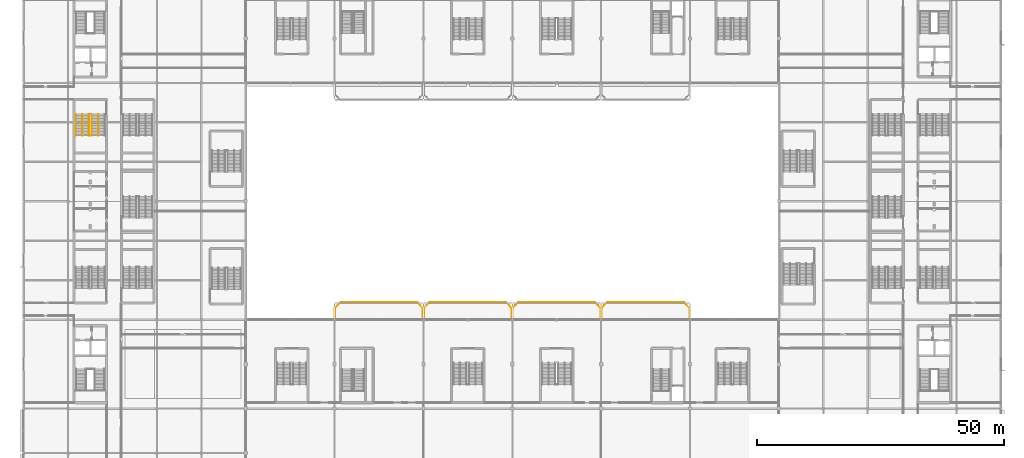
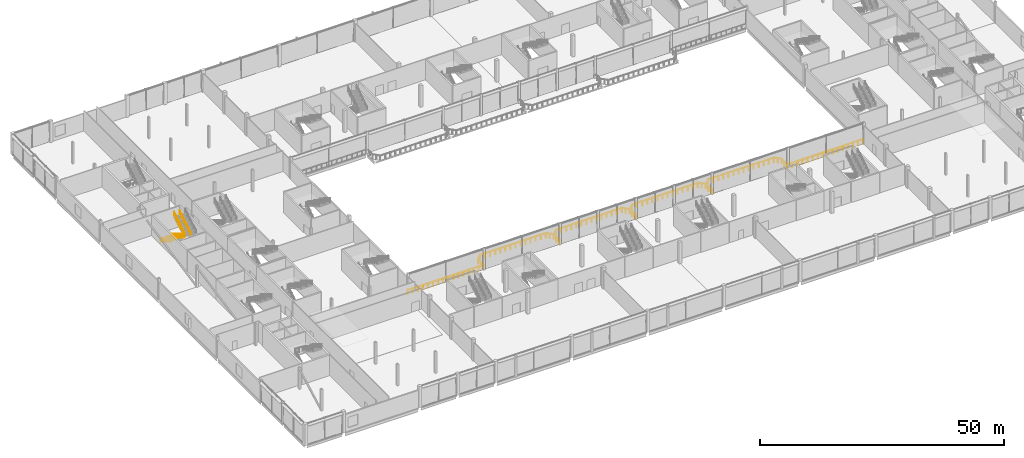
# One storey, part 100 of 113: 5 railings.
"""IFC4 building model written with IfcOpenShell, lengths in metres."""

from ifc_helpers import new_model, si_unit, direction, frame, origin, origin_2d, place, context, subcontext, project, spatial, circle, extrude, material, type_object, element, save


model = new_model("IFC4")

# Units and contexts
model_context = context("Model", 3, precision=1e-05, world=origin(), true_north=direction((0.0, 1.0)))
body_context = subcontext(model_context, "Body", "Model", "MODEL_VIEW")
ifc_project = project(units=[si_unit("LENGTHUNIT", "METRE"), si_unit("AREAUNIT", "SQUARE_METRE"), si_unit("VOLUMEUNIT", "CUBIC_METRE"), si_unit("PLANEANGLEUNIT", "RADIAN"), si_unit("MASSUNIT", "GRAM", prefix="KILO")], contexts=[model_context])

# Site, building, storey
site_placement = place(None, origin())
site = spatial("IfcSite", under=ifc_project, at=site_placement, CompositionType="ELEMENT")
building_placement = place(site_placement, origin())
building = spatial("IfcBuilding", under=site, at=building_placement, Name="Kisiwana Market Hall", CompositionType="ELEMENT")
storey_placement = place(building_placement, frame((0.0, 0.0, 6.0)))
storey = spatial("IfcBuildingStorey", under=building, at=storey_placement, Name="L01", CompositionType="ELEMENT", Elevation=6.0)

# Railings
ifc_material_1 = material(Name="Steel S275", Category="steel")
railing_type_1 = type_object("IfcRailingType", Name="RL-BALUST-1100", PredefinedType="BALUSTRADE", material=ifc_material_1)
railing_1_placement = place(storey_placement, frame((45.080078125, 36.080078125, 0.0)))
element("IfcRailing", 1, at=railing_1_placement, inside=storey, type_object=railing_type_1, Name="L01 Food Court South Atrium Edge Guardrail 1100 RL-1694", PredefinedType="BALUSTRADE", context=body_context, shape_type="SweptSolid", body=[
    extrude(circle(Radius=0.02392578125, at=origin_2d()), frame((0.0, 0.0, 1.076171875), z_axis=(1.0, 0.0, 0.0), x_axis=(0.0, 1.0, 0.0)), (0.0, 0.0, 1.0), 18.0),
    extrude(circle(Radius=0.02392578125, at=origin_2d()), frame((18.0, 0.0, 1.076171875), z_axis=(0.0, 1.0, 0.0), x_axis=(-1.0, 0.0, 0.0)), (0.0, 0.0, 1.0), 2.27001953125),
    extrude(circle(Radius=0.02392578125, at=origin_2d()), frame((18.0, 2.27001953125, 1.076171875), z_axis=(0.697854896898, 0.716239165974, 0.0), x_axis=(-0.716239165974, 0.697854896898, 0.0)), (0.0, 0.0, 1.0), 1.633544921875),
    extrude(circle(Radius=0.02392578125, at=origin_2d()), frame((19.139892578125, 3.43994140625, 1.076171875), z_axis=(1.0, 0.0, 0.0), x_axis=(0.0, 1.0, 0.0)), (0.0, 0.0, 1.0), 15.56005859375),
    extrude(circle(Radius=0.02392578125, at=origin_2d()), frame((34.699951171875, 3.43994140625, 1.076171875), z_axis=(0.697854896898, -0.716239165974, 0.0), x_axis=(0.716239165974, 0.697854896898, 0.0)), (0.0, 0.0, 1.0), 1.633544921875),
    extrude(circle(Radius=0.02392578125, at=origin_2d()), frame((35.83984375, 2.27001953125, 1.076171875), z_axis=(0.0, -1.0, 0.0), x_axis=(1.0, 0.0, 0.0)), (0.0, 0.0, 1.0), 2.27001953125),
    extrude(circle(Radius=0.02392578125, at=origin_2d()), frame((35.83984375, 0.0, 1.076171875), z_axis=(1.0, 0.0, 0.0), x_axis=(0.0, 1.0, 0.0)), (0.0, 0.0, 1.0), 0.16015625),
    extrude(circle(Radius=0.02392578125, at=origin_2d()), frame((36.0, 0.0, 1.076171875), z_axis=(0.0, 1.0, 0.0), x_axis=(-1.0, 0.0, 0.0)), (0.0, 0.0, 1.0), 2.27001953125),
    extrude(circle(Radius=0.02392578125, at=origin_2d()), frame((36.0, 2.27001953125, 1.076171875), z_axis=(0.697854896898, 0.716239165974, 0.0), x_axis=(-0.716239165974, 0.697854896898, 0.0)), (0.0, 0.0, 1.0), 1.633544921875),
    extrude(circle(Radius=0.02392578125, at=origin_2d()), frame((37.139892578125, 3.43994140625, 1.076171875), z_axis=(1.0, 0.0, 0.0), x_axis=(0.0, 1.0, 0.0)), (0.0, 0.0, 1.0), 15.56005859375),
    extrude(circle(Radius=0.02392578125, at=origin_2d()), frame((52.699951171875, 3.43994140625, 1.076171875), z_axis=(0.697854896898, -0.716239165974, 0.0), x_axis=(0.716239165974, 0.697854896898, 0.0)), (0.0, 0.0, 1.0), 1.633544921875),
    extrude(circle(Radius=0.02392578125, at=origin_2d()), frame((53.83984375, 2.27001953125, 1.076171875), z_axis=(0.0, -1.0, 0.0), x_axis=(1.0, 0.0, 0.0)), (0.0, 0.0, 1.0), 2.27001953125),
    extrude(circle(Radius=0.02392578125, at=origin_2d()), frame((53.83984375, 0.0, 1.076171875), z_axis=(1.0, 0.0, 0.0), x_axis=(0.0, 1.0, 0.0)), (0.0, 0.0, 1.0), 0.16015625),
    extrude(circle(Radius=0.02392578125, at=origin_2d()), frame((54.0, 0.0, 1.076171875), z_axis=(0.0, 1.0, 0.0), x_axis=(-1.0, 0.0, 0.0)), (0.0, 0.0, 1.0), 2.27001953125),
    extrude(circle(Radius=0.02392578125, at=origin_2d()), frame((54.0, 2.27001953125, 1.076171875), z_axis=(0.697854896898, 0.716239165974, 0.0), x_axis=(-0.716239165974, 0.697854896898, 0.0)), (0.0, 0.0, 1.0), 1.633544921875),
    extrude(circle(Radius=0.02392578125, at=origin_2d()), frame((55.139892578125, 3.43994140625, 1.076171875), z_axis=(1.0, 0.0, 0.0), x_axis=(0.0, 1.0, 0.0)), (0.0, 0.0, 1.0), 15.56005859375),
    extrude(circle(Radius=0.02392578125, at=origin_2d()), frame((70.699951171875, 3.43994140625, 1.076171875), z_axis=(0.697854896898, -0.716239165974, 0.0), x_axis=(0.716239165974, 0.697854896898, 0.0)), (0.0, 0.0, 1.0), 1.633544921875),
    extrude(circle(Radius=0.02392578125, at=origin_2d()), frame((71.83984375, 2.27001953125, 1.076171875), z_axis=(0.0, -1.0, 0.0), x_axis=(1.0, 0.0, 0.0)), (0.0, 0.0, 1.0), 2.27001953125),
    extrude(circle(Radius=0.02392578125, at=origin_2d()), frame((71.83984375, 0.0, 1.076171875), z_axis=(1.0, 0.0, 0.0), x_axis=(0.0, 1.0, 0.0)), (0.0, 0.0, 1.0), 0.16015625),
    extrude(circle(Radius=0.02392578125, at=origin_2d()), frame((72.0, 0.0, 1.076171875), z_axis=(0.0, 1.0, 0.0), x_axis=(-1.0, 0.0, 0.0)), (0.0, 0.0, 1.0), 2.27001953125),
    extrude(circle(Radius=0.02392578125, at=origin_2d()), frame((72.0, 2.27001953125, 1.076171875), z_axis=(0.697854896898, 0.716239165974, 0.0), x_axis=(-0.716239165974, 0.697854896898, 0.0)), (0.0, 0.0, 1.0), 1.633544921875),
    extrude(circle(Radius=0.02392578125, at=origin_2d()), frame((73.139892578125, 3.43994140625, 1.076171875), z_axis=(1.0, 0.0, 0.0), x_axis=(0.0, 1.0, 0.0)), (0.0, 0.0, 1.0), 15.56005859375),
    extrude(circle(Radius=0.02392578125, at=origin_2d()), frame((88.699951171875, 3.43994140625, 1.076171875), z_axis=(0.697854896898, -0.716239165974, 0.0), x_axis=(0.716239165974, 0.697854896898, 0.0)), (0.0, 0.0, 1.0), 1.633544921875),
    extrude(circle(Radius=0.02392578125, at=origin_2d()), frame((89.83984375, 2.27001953125, 1.076171875), z_axis=(0.0, -1.0, 0.0), x_axis=(1.0, 0.0, 0.0)), (0.0, 0.0, 1.0), 2.27001953125),
    extrude(circle(Radius=0.02392578125, at=origin_2d()), frame((89.83984375, 0.0, 1.076171875), z_axis=(1.0, 0.0, 0.0), x_axis=(0.0, 1.0, 0.0)), (0.0, 0.0, 1.0), 18.0),
    extrude(circle(Radius=0.02099609375, at=origin_2d()), origin(), (0.0, 0.0, 1.0), 1.052001953125),
    extrude(circle(Radius=0.02099609375, at=origin_2d()), frame((1.199951171875, 0.0, 0.0)), (0.0, 0.0, 1.0), 1.052001953125),
    extrude(circle(Radius=0.02099609375, at=origin_2d()), frame((2.39990234375, 0.0, 0.0)), (0.0, 0.0, 1.0), 1.052001953125),
    extrude(circle(Radius=0.02099609375, at=origin_2d()), frame((3.60009765625, 0.0, 0.0)), (0.0, 0.0, 1.0), 1.052001953125),
    extrude(circle(Radius=0.02099609375, at=origin_2d()), frame((4.800048828125, 0.0, 0.0)), (0.0, 0.0, 1.0), 1.052001953125),
    extrude(circle(Radius=0.02099609375, at=origin_2d()), frame((6.0, 0.0, 0.0)), (0.0, 0.0, 1.0), 1.052001953125),
    extrude(circle(Radius=0.02099609375, at=origin_2d()), frame((7.199951171875, 0.0, 0.0)), (0.0, 0.0, 1.0), 1.052001953125),
    extrude(circle(Radius=0.02099609375, at=origin_2d()), frame((8.39990234375, 0.0, 0.0)), (0.0, 0.0, 1.0), 1.052001953125),
    extrude(circle(Radius=0.02099609375, at=origin_2d()), frame((9.60009765625, 0.0, 0.0)), (0.0, 0.0, 1.0), 1.052001953125),
    extrude(circle(Radius=0.02099609375, at=origin_2d()), frame((10.800048828125, 0.0, 0.0)), (0.0, 0.0, 1.0), 1.052001953125),
    extrude(circle(Radius=0.02099609375, at=origin_2d()), frame((12.0, 0.0, 0.0)), (0.0, 0.0, 1.0), 1.052001953125),
    extrude(circle(Radius=0.02099609375, at=origin_2d()), frame((13.199951171875, 0.0, 0.0)), (0.0, 0.0, 1.0), 1.052001953125),
    extrude(circle(Radius=0.02099609375, at=origin_2d()), frame((14.39990234375, 0.0, 0.0)), (0.0, 0.0, 1.0), 1.052001953125),
    extrude(circle(Radius=0.02099609375, at=origin_2d()), frame((15.60009765625, 0.0, 0.0)), (0.0, 0.0, 1.0), 1.052001953125),
    extrude(circle(Radius=0.02099609375, at=origin_2d()), frame((16.800048828125, 0.0, 0.0)), (0.0, 0.0, 1.0), 1.052001953125),
    extrude(circle(Radius=0.02099609375, at=origin_2d()), frame((18.0, 0.0, 0.0)), (0.0, 0.0, 1.0), 1.052001953125),
    extrude(circle(Radius=0.02099609375, at=origin_2d()), frame((18.0, 1.135009765625, 0.0)), (0.0, 0.0, 1.0), 1.052001953125),
    extrude(circle(Radius=0.02099609375, at=origin_2d()), frame((18.0, 2.27001953125, 0.0)), (0.0, 0.0, 1.0), 1.052001953125),
    extrude(circle(Radius=0.02099609375, at=origin_2d()), frame((18.56982421875, 2.85498046875, 0.0)), (0.0, 0.0, 1.0), 1.052001953125),
    extrude(circle(Radius=0.02099609375, at=origin_2d()), frame((19.139892578125, 3.43994140625, 0.0)), (0.0, 0.0, 1.0), 1.052001953125),
    extrude(circle(Radius=0.02099609375, at=origin_2d()), frame((20.3369140625, 3.43994140625, 0.0)), (0.0, 0.0, 1.0), 1.052001953125),
    extrude(circle(Radius=0.02099609375, at=origin_2d()), frame((21.53369140625, 3.43994140625, 0.0)), (0.0, 0.0, 1.0), 1.052001953125),
    extrude(circle(Radius=0.02099609375, at=origin_2d()), frame((22.730712890625, 3.43994140625, 0.0)), (0.0, 0.0, 1.0), 1.052001953125),
    extrude(circle(Radius=0.02099609375, at=origin_2d()), frame((23.927490234375, 3.43994140625, 0.0)), (0.0, 0.0, 1.0), 1.052001953125),
    extrude(circle(Radius=0.02099609375, at=origin_2d()), frame((25.12451171875, 3.43994140625, 0.0)), (0.0, 0.0, 1.0), 1.052001953125),
    extrude(circle(Radius=0.02099609375, at=origin_2d()), frame((26.321533203125, 3.43994140625, 0.0)), (0.0, 0.0, 1.0), 1.052001953125),
    extrude(circle(Radius=0.02099609375, at=origin_2d()), frame((27.518310546875, 3.43994140625, 0.0)), (0.0, 0.0, 1.0), 1.052001953125),
    extrude(circle(Radius=0.02099609375, at=origin_2d()), frame((28.71533203125, 3.43994140625, 0.0)), (0.0, 0.0, 1.0), 1.052001953125),
    extrude(circle(Radius=0.02099609375, at=origin_2d()), frame((29.912353515625, 3.43994140625, 0.0)), (0.0, 0.0, 1.0), 1.052001953125),
    extrude(circle(Radius=0.02099609375, at=origin_2d()), frame((31.109130859375, 3.43994140625, 0.0)), (0.0, 0.0, 1.0), 1.052001953125),
    extrude(circle(Radius=0.02099609375, at=origin_2d()), frame((32.30615234375, 3.43994140625, 0.0)), (0.0, 0.0, 1.0), 1.052001953125),
    extrude(circle(Radius=0.02099609375, at=origin_2d()), frame((33.5029296875, 3.43994140625, 0.0)), (0.0, 0.0, 1.0), 1.052001953125),
    extrude(circle(Radius=0.02099609375, at=origin_2d()), frame((34.699951171875, 3.43994140625, 0.0)), (0.0, 0.0, 1.0), 1.052001953125),
    extrude(circle(Radius=0.02099609375, at=origin_2d()), frame((35.27001953125, 2.85498046875, 0.0)), (0.0, 0.0, 1.0), 1.052001953125),
    extrude(circle(Radius=0.02099609375, at=origin_2d()), frame((35.83984375, 2.27001953125, 0.0)), (0.0, 0.0, 1.0), 1.052001953125),
    extrude(circle(Radius=0.02099609375, at=origin_2d()), frame((35.83984375, 1.135009765625, 0.0)), (0.0, 0.0, 1.0), 1.052001953125),
    extrude(circle(Radius=0.02099609375, at=origin_2d()), frame((35.83984375, 0.0, 0.0)), (0.0, 0.0, 1.0), 1.052001953125),
    extrude(circle(Radius=0.02099609375, at=origin_2d()), frame((36.0, 0.0, 0.0)), (0.0, 0.0, 1.0), 1.052001953125),
    extrude(circle(Radius=0.02099609375, at=origin_2d()), frame((36.0, 1.135009765625, 0.0)), (0.0, 0.0, 1.0), 1.052001953125),
    extrude(circle(Radius=0.02099609375, at=origin_2d()), frame((36.0, 2.27001953125, 0.0)), (0.0, 0.0, 1.0), 1.052001953125),
    extrude(circle(Radius=0.02099609375, at=origin_2d()), frame((36.56982421875, 2.85498046875, 0.0)), (0.0, 0.0, 1.0), 1.052001953125),
    extrude(circle(Radius=0.02099609375, at=origin_2d()), frame((37.139892578125, 3.43994140625, 0.0)), (0.0, 0.0, 1.0), 1.052001953125),
    extrude(circle(Radius=0.02099609375, at=origin_2d()), frame((38.3369140625, 3.43994140625, 0.0)), (0.0, 0.0, 1.0), 1.052001953125),
    extrude(circle(Radius=0.02099609375, at=origin_2d()), frame((39.53369140625, 3.43994140625, 0.0)), (0.0, 0.0, 1.0), 1.052001953125),
    extrude(circle(Radius=0.02099609375, at=origin_2d()), frame((40.730712890625, 3.43994140625, 0.0)), (0.0, 0.0, 1.0), 1.052001953125),
    extrude(circle(Radius=0.02099609375, at=origin_2d()), frame((41.927490234375, 3.43994140625, 0.0)), (0.0, 0.0, 1.0), 1.052001953125),
    extrude(circle(Radius=0.02099609375, at=origin_2d()), frame((43.12451171875, 3.43994140625, 0.0)), (0.0, 0.0, 1.0), 1.052001953125),
    extrude(circle(Radius=0.02099609375, at=origin_2d()), frame((44.321533203125, 3.43994140625, 0.0)), (0.0, 0.0, 1.0), 1.052001953125),
    extrude(circle(Radius=0.02099609375, at=origin_2d()), frame((45.518310546875, 3.43994140625, 0.0)), (0.0, 0.0, 1.0), 1.052001953125),
    extrude(circle(Radius=0.02099609375, at=origin_2d()), frame((46.71533203125, 3.43994140625, 0.0)), (0.0, 0.0, 1.0), 1.052001953125),
    extrude(circle(Radius=0.02099609375, at=origin_2d()), frame((47.912353515625, 3.43994140625, 0.0)), (0.0, 0.0, 1.0), 1.052001953125),
    extrude(circle(Radius=0.02099609375, at=origin_2d()), frame((49.109130859375, 3.43994140625, 0.0)), (0.0, 0.0, 1.0), 1.052001953125),
    extrude(circle(Radius=0.02099609375, at=origin_2d()), frame((50.30615234375, 3.43994140625, 0.0)), (0.0, 0.0, 1.0), 1.052001953125),
    extrude(circle(Radius=0.02099609375, at=origin_2d()), frame((51.5029296875, 3.43994140625, 0.0)), (0.0, 0.0, 1.0), 1.052001953125),
    extrude(circle(Radius=0.02099609375, at=origin_2d()), frame((52.699951171875, 3.43994140625, 0.0)), (0.0, 0.0, 1.0), 1.052001953125),
    extrude(circle(Radius=0.02099609375, at=origin_2d()), frame((53.27001953125, 2.85498046875, 0.0)), (0.0, 0.0, 1.0), 1.052001953125),
    extrude(circle(Radius=0.02099609375, at=origin_2d()), frame((53.83984375, 2.27001953125, 0.0)), (0.0, 0.0, 1.0), 1.052001953125),
    extrude(circle(Radius=0.02099609375, at=origin_2d()), frame((53.83984375, 1.135009765625, 0.0)), (0.0, 0.0, 1.0), 1.052001953125),
    extrude(circle(Radius=0.02099609375, at=origin_2d()), frame((53.83984375, 0.0, 0.0)), (0.0, 0.0, 1.0), 1.052001953125),
    extrude(circle(Radius=0.02099609375, at=origin_2d()), frame((54.0, 0.0, 0.0)), (0.0, 0.0, 1.0), 1.052001953125),
    extrude(circle(Radius=0.02099609375, at=origin_2d()), frame((54.0, 1.135009765625, 0.0)), (0.0, 0.0, 1.0), 1.052001953125),
    extrude(circle(Radius=0.02099609375, at=origin_2d()), frame((54.0, 2.27001953125, 0.0)), (0.0, 0.0, 1.0), 1.052001953125),
    extrude(circle(Radius=0.02099609375, at=origin_2d()), frame((54.56982421875, 2.85498046875, 0.0)), (0.0, 0.0, 1.0), 1.052001953125),
    extrude(circle(Radius=0.02099609375, at=origin_2d()), frame((55.139892578125, 3.43994140625, 0.0)), (0.0, 0.0, 1.0), 1.052001953125),
    extrude(circle(Radius=0.02099609375, at=origin_2d()), frame((56.3369140625, 3.43994140625, 0.0)), (0.0, 0.0, 1.0), 1.052001953125),
    extrude(circle(Radius=0.02099609375, at=origin_2d()), frame((57.53369140625, 3.43994140625, 0.0)), (0.0, 0.0, 1.0), 1.052001953125),
    extrude(circle(Radius=0.02099609375, at=origin_2d()), frame((58.730712890625, 3.43994140625, 0.0)), (0.0, 0.0, 1.0), 1.052001953125),
    extrude(circle(Radius=0.02099609375, at=origin_2d()), frame((59.927490234375, 3.43994140625, 0.0)), (0.0, 0.0, 1.0), 1.052001953125),
    extrude(circle(Radius=0.02099609375, at=origin_2d()), frame((61.12451171875, 3.43994140625, 0.0)), (0.0, 0.0, 1.0), 1.052001953125),
    extrude(circle(Radius=0.02099609375, at=origin_2d()), frame((62.321533203125, 3.43994140625, 0.0)), (0.0, 0.0, 1.0), 1.052001953125),
    extrude(circle(Radius=0.02099609375, at=origin_2d()), frame((63.518310546875, 3.43994140625, 0.0)), (0.0, 0.0, 1.0), 1.052001953125),
    extrude(circle(Radius=0.02099609375, at=origin_2d()), frame((64.71533203125, 3.43994140625, 0.0)), (0.0, 0.0, 1.0), 1.052001953125),
    extrude(circle(Radius=0.02099609375, at=origin_2d()), frame((65.912353515625, 3.43994140625, 0.0)), (0.0, 0.0, 1.0), 1.052001953125),
    extrude(circle(Radius=0.02099609375, at=origin_2d()), frame((67.109130859375, 3.43994140625, 0.0)), (0.0, 0.0, 1.0), 1.052001953125),
    extrude(circle(Radius=0.02099609375, at=origin_2d()), frame((68.30615234375, 3.43994140625, 0.0)), (0.0, 0.0, 1.0), 1.052001953125),
    extrude(circle(Radius=0.02099609375, at=origin_2d()), frame((69.5029296875, 3.43994140625, 0.0)), (0.0, 0.0, 1.0), 1.052001953125),
    extrude(circle(Radius=0.02099609375, at=origin_2d()), frame((70.699951171875, 3.43994140625, 0.0)), (0.0, 0.0, 1.0), 1.052001953125),
    extrude(circle(Radius=0.02099609375, at=origin_2d()), frame((71.27001953125, 2.85498046875, 0.0)), (0.0, 0.0, 1.0), 1.052001953125),
    extrude(circle(Radius=0.02099609375, at=origin_2d()), frame((71.83984375, 2.27001953125, 0.0)), (0.0, 0.0, 1.0), 1.052001953125),
    extrude(circle(Radius=0.02099609375, at=origin_2d()), frame((71.83984375, 1.135009765625, 0.0)), (0.0, 0.0, 1.0), 1.052001953125),
    extrude(circle(Radius=0.02099609375, at=origin_2d()), frame((71.83984375, 0.0, 0.0)), (0.0, 0.0, 1.0), 1.052001953125),
    extrude(circle(Radius=0.02099609375, at=origin_2d()), frame((72.0, 0.0, 0.0)), (0.0, 0.0, 1.0), 1.052001953125),
    extrude(circle(Radius=0.02099609375, at=origin_2d()), frame((72.0, 1.135009765625, 0.0)), (0.0, 0.0, 1.0), 1.052001953125),
    extrude(circle(Radius=0.02099609375, at=origin_2d()), frame((72.0, 2.27001953125, 0.0)), (0.0, 0.0, 1.0), 1.052001953125),
    extrude(circle(Radius=0.02099609375, at=origin_2d()), frame((72.56982421875, 2.85498046875, 0.0)), (0.0, 0.0, 1.0), 1.052001953125),
    extrude(circle(Radius=0.02099609375, at=origin_2d()), frame((73.139892578125, 3.43994140625, 0.0)), (0.0, 0.0, 1.0), 1.052001953125),
    extrude(circle(Radius=0.02099609375, at=origin_2d()), frame((74.3369140625, 3.43994140625, 0.0)), (0.0, 0.0, 1.0), 1.052001953125),
    extrude(circle(Radius=0.02099609375, at=origin_2d()), frame((75.53369140625, 3.43994140625, 0.0)), (0.0, 0.0, 1.0), 1.052001953125),
    extrude(circle(Radius=0.02099609375, at=origin_2d()), frame((76.730712890625, 3.43994140625, 0.0)), (0.0, 0.0, 1.0), 1.052001953125),
    extrude(circle(Radius=0.02099609375, at=origin_2d()), frame((77.927490234375, 3.43994140625, 0.0)), (0.0, 0.0, 1.0), 1.052001953125),
    extrude(circle(Radius=0.02099609375, at=origin_2d()), frame((79.12451171875, 3.43994140625, 0.0)), (0.0, 0.0, 1.0), 1.052001953125),
    extrude(circle(Radius=0.02099609375, at=origin_2d()), frame((80.321533203125, 3.43994140625, 0.0)), (0.0, 0.0, 1.0), 1.052001953125),
    extrude(circle(Radius=0.02099609375, at=origin_2d()), frame((81.518310546875, 3.43994140625, 0.0)), (0.0, 0.0, 1.0), 1.052001953125),
    extrude(circle(Radius=0.02099609375, at=origin_2d()), frame((82.71533203125, 3.43994140625, 0.0)), (0.0, 0.0, 1.0), 1.052001953125),
    extrude(circle(Radius=0.02099609375, at=origin_2d()), frame((83.912353515625, 3.43994140625, 0.0)), (0.0, 0.0, 1.0), 1.052001953125),
    extrude(circle(Radius=0.02099609375, at=origin_2d()), frame((85.109130859375, 3.43994140625, 0.0)), (0.0, 0.0, 1.0), 1.052001953125),
    extrude(circle(Radius=0.02099609375, at=origin_2d()), frame((86.30615234375, 3.43994140625, 0.0)), (0.0, 0.0, 1.0), 1.052001953125),
    extrude(circle(Radius=0.02099609375, at=origin_2d()), frame((87.5029296875, 3.43994140625, 0.0)), (0.0, 0.0, 1.0), 1.052001953125),
    extrude(circle(Radius=0.02099609375, at=origin_2d()), frame((88.699951171875, 3.43994140625, 0.0)), (0.0, 0.0, 1.0), 1.052001953125),
    extrude(circle(Radius=0.02099609375, at=origin_2d()), frame((89.27001953125, 2.85498046875, 0.0)), (0.0, 0.0, 1.0), 1.052001953125),
    extrude(circle(Radius=0.02099609375, at=origin_2d()), frame((89.83984375, 2.27001953125, 0.0)), (0.0, 0.0, 1.0), 1.052001953125),
    extrude(circle(Radius=0.02099609375, at=origin_2d()), frame((89.83984375, 1.135009765625, 0.0)), (0.0, 0.0, 1.0), 1.052001953125),
    extrude(circle(Radius=0.02099609375, at=origin_2d()), frame((89.83984375, 0.0, 0.0)), (0.0, 0.0, 1.0), 1.052001953125),
    extrude(circle(Radius=0.02099609375, at=origin_2d()), frame((91.039794921875, 0.0, 0.0)), (0.0, 0.0, 1.0), 1.052001953125),
    extrude(circle(Radius=0.02099609375, at=origin_2d()), frame((92.23974609375, 0.0, 0.0)), (0.0, 0.0, 1.0), 1.052001953125),
    extrude(circle(Radius=0.02099609375, at=origin_2d()), frame((93.43994140625, 0.0, 0.0)), (0.0, 0.0, 1.0), 1.052001953125),
    extrude(circle(Radius=0.02099609375, at=origin_2d()), frame((94.639892578125, 0.0, 0.0)), (0.0, 0.0, 1.0), 1.052001953125),
    extrude(circle(Radius=0.02099609375, at=origin_2d()), frame((95.83984375, 0.0, 0.0)), (0.0, 0.0, 1.0), 1.052001953125),
    extrude(circle(Radius=0.02099609375, at=origin_2d()), frame((97.039794921875, 0.0, 0.0)), (0.0, 0.0, 1.0), 1.052001953125),
    extrude(circle(Radius=0.02099609375, at=origin_2d()), frame((98.23974609375, 0.0, 0.0)), (0.0, 0.0, 1.0), 1.052001953125),
    extrude(circle(Radius=0.02099609375, at=origin_2d()), frame((99.43994140625, 0.0, 0.0)), (0.0, 0.0, 1.0), 1.052001953125),
    extrude(circle(Radius=0.02099609375, at=origin_2d()), frame((100.639892578125, 0.0, 0.0)), (0.0, 0.0, 1.0), 1.052001953125),
    extrude(circle(Radius=0.02099609375, at=origin_2d()), frame((101.83984375, 0.0, 0.0)), (0.0, 0.0, 1.0), 1.052001953125),
    extrude(circle(Radius=0.02099609375, at=origin_2d()), frame((103.039794921875, 0.0, 0.0)), (0.0, 0.0, 1.0), 1.052001953125),
    extrude(circle(Radius=0.02099609375, at=origin_2d()), frame((104.23974609375, 0.0, 0.0)), (0.0, 0.0, 1.0), 1.052001953125),
    extrude(circle(Radius=0.02099609375, at=origin_2d()), frame((105.43994140625, 0.0, 0.0)), (0.0, 0.0, 1.0), 1.052001953125),
    extrude(circle(Radius=0.02099609375, at=origin_2d()), frame((106.639892578125, 0.0, 0.0)), (0.0, 0.0, 1.0), 1.052001953125),
    extrude(circle(Radius=0.02099609375, at=origin_2d()), frame((107.83984375, 0.0, 0.0)), (0.0, 0.0, 1.0), 1.052001953125),
])
ifc_material_2 = material(Name="Steel S275", Category="steel")
railing_type_2 = type_object("IfcRailingType", Name="RL-GUARD-1100", PredefinedType="GUARDRAIL", material=ifc_material_2)
railing_2_placement = place(storey_placement, frame((13.219970703125, 77.639892578125, 0.0)))
element("IfcRailing", 2, at=railing_2_placement, inside=storey, type_object=railing_type_2, Name="Stair ST-W4-L01 inner-well guardrail (RL-349)", PredefinedType="GUARDRAIL", context=body_context, shape_type="SweptSolid", body=[
    extrude(circle(Radius=0.02392578125, at=origin_2d()), frame((0.0, 0.0, 1.076171875), z_axis=(0.0, -0.849636482215, 0.527368797038), x_axis=(1.0, 0.0, 0.0)), (0.0, 0.0, 1.0), 5.11962890625),
    extrude(circle(Radius=0.02392578125, at=origin_2d()), frame((0.0, -4.349853515625, 3.77587890625), z_axis=(1.0, 0.0, 0.0), x_axis=(0.0, 1.0, 0.0)), (0.0, 0.0, 1.0), 0.56005859375),
    extrude(circle(Radius=0.02392578125, at=origin_2d()), frame((0.56005859375, -4.349853515625, 3.77587890625), z_axis=(0.0, 0.849636482215, 0.527368797038), x_axis=(-1.0, 0.0, 0.0)), (0.0, 0.0, 1.0), 5.11962890625),
    extrude(circle(Radius=0.02099609375, at=origin_2d()), origin(), (0.0, 0.0, 1.0), 1.052001953125),
    extrude(circle(Radius=0.02099609375, at=origin_2d()), frame((0.0, -0.869873046875, 0.5400390625)), (0.0, 0.0, 1.0), 1.052001953125),
    extrude(circle(Radius=0.02099609375, at=origin_2d()), frame((0.0, -1.739990234375, 1.080078125)), (0.0, 0.0, 1.0), 1.052001953125),
    extrude(circle(Radius=0.02099609375, at=origin_2d()), frame((0.0, -2.60986328125, 1.619873046875)), (0.0, 0.0, 1.0), 1.052001953125),
    extrude(circle(Radius=0.02099609375, at=origin_2d()), frame((0.0, -3.47998046875, 2.159912109375)), (0.0, 0.0, 1.0), 1.052001953125),
    extrude(circle(Radius=0.02099609375, at=origin_2d()), frame((0.0, -4.349853515625, 2.699951171875)), (0.0, 0.0, 1.0), 1.052001953125),
    extrude(circle(Radius=0.02099609375, at=origin_2d()), frame((0.56005859375, -4.349853515625, 2.699951171875)), (0.0, 0.0, 1.0), 1.052001953125),
    extrude(circle(Radius=0.02099609375, at=origin_2d()), frame((0.56005859375, -3.47998046875, 3.239990234375)), (0.0, 0.0, 1.0), 1.052001953125),
    extrude(circle(Radius=0.02099609375, at=origin_2d()), frame((0.56005859375, -2.60986328125, 3.780029296875)), (0.0, 0.0, 1.0), 1.052001953125),
    extrude(circle(Radius=0.02099609375, at=origin_2d()), frame((0.56005859375, -1.739990234375, 4.31982421875)), (0.0, 0.0, 1.0), 1.052001953125),
    extrude(circle(Radius=0.02099609375, at=origin_2d()), frame((0.56005859375, -0.869873046875, 4.85986328125)), (0.0, 0.0, 1.0), 1.052001953125),
    extrude(circle(Radius=0.02099609375, at=origin_2d()), frame((0.56005859375, 0.0, 5.39990234375)), (0.0, 0.0, 1.0), 1.052001953125),
])
ifc_material_3 = material(Name="Steel S275", Category="steel")
railing_type_3 = type_object("IfcRailingType", Name="RL-HAND-900", PredefinedType="HANDRAIL", material=ifc_material_3)
for number, where, name in (
    (3, (10.570068359375, 77.639892578125, 0.0), "Stair ST-W4-L01 flight 1 handrail (RL-350)"),
    (4, (11.889892578125, 77.639892578125, 0.0), "Stair ST-W4-L01 flight 1 intermediate handrail (RL-352)"),
):
    element("IfcRailing", number, at=place(storey_placement, frame(where)), inside=storey, type_object=railing_type_3, Name=name, PredefinedType="HANDRAIL", context=body_context, shape_type="SweptSolid", body=[
        extrude(circle(Radius=0.02392578125, at=origin_2d()), frame((0.0, 0.0, 0.8759765625), z_axis=(0.0, -0.849636482215, 0.527368797038), x_axis=(1.0, 0.0, 0.0)), (0.0, 0.0, 1.0), 5.11962890625),
        extrude(circle(Radius=0.02099609375, at=origin_2d()), origin(), (0.0, 0.0, 1.0), 0.851806640625),
        extrude(circle(Radius=0.02099609375, at=origin_2d()), frame((0.0, -0.869873046875, 0.5400390625)), (0.0, 0.0, 1.0), 0.851806640625),
        extrude(circle(Radius=0.02099609375, at=origin_2d()), frame((0.0, -1.739990234375, 1.080078125)), (0.0, 0.0, 1.0), 0.851806640625),
        extrude(circle(Radius=0.02099609375, at=origin_2d()), frame((0.0, -2.60986328125, 1.619873046875)), (0.0, 0.0, 1.0), 0.851806640625),
        extrude(circle(Radius=0.02099609375, at=origin_2d()), frame((0.0, -3.47998046875, 2.159912109375)), (0.0, 0.0, 1.0), 0.851806640625),
        extrude(circle(Radius=0.02099609375, at=origin_2d()), frame((0.0, -4.349853515625, 2.699951171875)), (0.0, 0.0, 1.0), 0.851806640625),
    ])
railing_3_placement = place(storey_placement, frame((15.110107421875, 73.2900390625, 2.699951171875)))
element("IfcRailing", 5, at=railing_3_placement, inside=storey, type_object=railing_type_3, Name="Stair ST-W4-L01 flight 2 intermediate handrail (RL-353)", PredefinedType="HANDRAIL", context=body_context, shape_type="SweptSolid", body=[
    extrude(circle(Radius=0.02392578125, at=origin_2d()), frame((0.0, 0.0, 0.8759765625), z_axis=(0.0, 0.849636482215, 0.527368797038), x_axis=(-1.0, 0.0, 0.0)), (0.0, 0.0, 1.0), 5.11962890625),
    extrude(circle(Radius=0.02099609375, at=origin_2d()), origin(), (0.0, 0.0, 1.0), 0.851806640625),
    extrude(circle(Radius=0.02099609375, at=origin_2d()), frame((0.0, 0.869873046875, 0.5400390625)), (0.0, 0.0, 1.0), 0.851806640625),
    extrude(circle(Radius=0.02099609375, at=origin_2d()), frame((0.0, 1.739990234375, 1.080078125)), (0.0, 0.0, 1.0), 0.851806640625),
    extrude(circle(Radius=0.02099609375, at=origin_2d()), frame((0.0, 2.60986328125, 1.619873046875)), (0.0, 0.0, 1.0), 0.851806640625),
    extrude(circle(Radius=0.02099609375, at=origin_2d()), frame((0.0, 3.47998046875, 2.159912109375)), (0.0, 0.0, 1.0), 0.851806640625),
    extrude(circle(Radius=0.02099609375, at=origin_2d()), frame((0.0, 4.349853515625, 2.699951171875)), (0.0, 0.0, 1.0), 0.851806640625),
])

save(model, "model.ifc")
